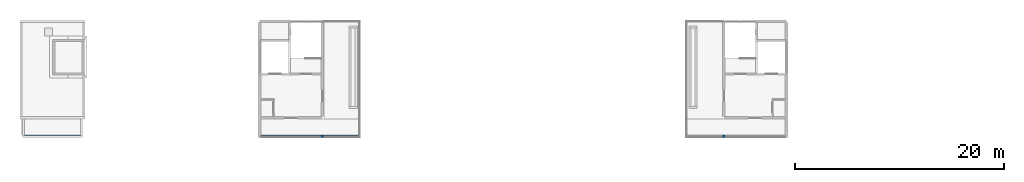
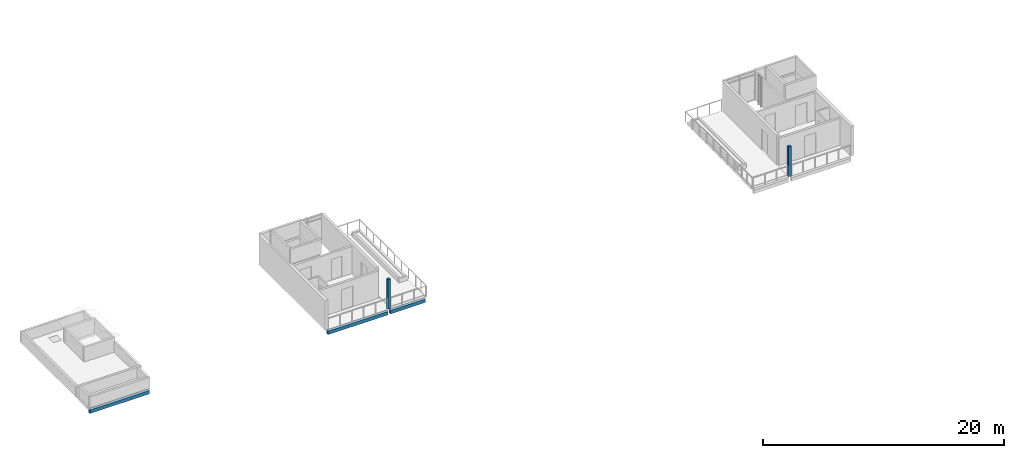
# One storey, part 1 of 15: 3 beams, 2 columns.
"""IFC4 building model written with IfcOpenShell, lengths in metres."""

from ifc_helpers import new_model, si_unit, direction, frame, origin, origin_2d, place, context, subcontext, project, spatial, rectangle, extrude, material, material_profile, profile_set, type_object, element, save


model = new_model("IFC4")

# Units and contexts
model_context = context("Model", 3, precision=1e-05, world=origin(), true_north=direction((0.0, 1.0)))
body_context = subcontext(model_context, "Body", "Model", "MODEL_VIEW")
ifc_project = project(units=[si_unit("LENGTHUNIT", "METRE"), si_unit("AREAUNIT", "SQUARE_METRE"), si_unit("VOLUMEUNIT", "CUBIC_METRE"), si_unit("PLANEANGLEUNIT", "RADIAN"), si_unit("MASSUNIT", "GRAM", prefix="KILO")], contexts=[model_context])

# Site, building, storey
site_placement = place(None, origin())
site = spatial("IfcSite", under=ifc_project, at=site_placement, CompositionType="ELEMENT")
building_placement = place(site_placement, origin())
building = spatial("IfcBuilding", under=site, at=building_placement, Name="Ridgestep Commons", CompositionType="ELEMENT")
storey_placement = place(building_placement, frame((0.0, 0.0, 45.0)))
storey = spatial("IfcBuildingStorey", under=building, at=storey_placement, Name="L15", CompositionType="ELEMENT", Elevation=45.0)

# Columns
ifc_material_1 = material(Name="Precast concrete C40/50", Category="concrete")
ifc_material_profile_1 = material_profile(ifc_material_1, rectangle(XDim=0.25, YDim=0.25, at=origin_2d()), Name="PC 250x250")
ifc_profile_set_1 = profile_set([ifc_material_profile_1], Name="Precast concrete C40/50")
column_type = type_object("IfcColumnType", Name="Loggia column 250 x 250", PredefinedType="COLUMN", material=ifc_profile_set_1)
for number, where, z_axis, x_axis, name in (
    (1, (51.60009765625, 11.875, 0.0), (0.0, 0.0, 1.0), (1.0, 0.0, 0.0), "Loggia column A L15"),
    (2, (90.0, 11.875, 0.0), (0.0, 0.0, 1.0), (1.0, 0.0, 0.0), "Loggia column A L15"),
):
    element("IfcColumn", number, at=place(storey_placement, frame(where, z_axis=z_axis, x_axis=x_axis)), inside=storey, type_object=column_type, Name=name, PredefinedType="COLUMN", context=body_context, shape_type="SweptSolid", body=[
        extrude(rectangle(XDim=0.25, YDim=0.25, at=origin_2d()), origin(), (0.0, 0.0, 1.0), 3.0),
    ])

# Beams
ifc_material_2 = material(Name="Precast concrete C40/50", Category="concrete")
ifc_material_profile_2 = material_profile(ifc_material_2, rectangle(XDim=0.25, YDim=0.35009765625, at=origin_2d()), Name="PC 250x350")
ifc_profile_set_2 = profile_set([ifc_material_profile_2], Name="Precast concrete C40/50")
beam_type = type_object("IfcBeamType", Name="Loggia edge beam 250 x 350", PredefinedType="SPANDREL", material=ifc_profile_set_2)
beam_1_placement = place(storey_placement, frame((22.925048828125, 11.875, -0.375), z_axis=(1.0, 0.0, 0.0), x_axis=(0.0, 1.0, 0.0)))
element("IfcBeam", 3, at=beam_1_placement, inside=storey, type_object=beam_type, Name="Loggia edge beam A1C L15", PredefinedType="SPANDREL", context=body_context, shape_type="SweptSolid", body=[
    extrude(rectangle(XDim=0.25, YDim=0.35009765625, at=origin_2d()), origin(), (0.0, 0.0, 1.0), 5.724853515625),
])
beam_2_placement = place(storey_placement, frame((45.75, 11.875, -0.375), z_axis=(1.0, 0.0, 0.0), x_axis=(0.0, 1.0, 0.0)))
element("IfcBeam", 4, at=beam_2_placement, inside=storey, type_object=beam_type, Name="Loggia edge beam A3C L15", PredefinedType="SPANDREL", context=body_context, shape_type="SweptSolid", body=[
    extrude(rectangle(XDim=0.25, YDim=0.35009765625, at=origin_2d()), origin(), (0.0, 0.0, 1.0), 5.72509765625),
])
beam_3_placement = place(storey_placement, frame((51.72509765625, 11.875, -0.375), z_axis=(1.0, 0.0, 0.0), x_axis=(0.0, 1.0, 0.0)))
element("IfcBeam", 5, at=beam_3_placement, inside=storey, type_object=beam_type, Name="Loggia edge beam A3T3 L15", PredefinedType="SPANDREL", context=body_context, shape_type="SweptSolid", body=[
    extrude(rectangle(XDim=0.25, YDim=0.35009765625, at=origin_2d()), origin(), (0.0, 0.0, 1.0), 3.349853515625),
])

save(model, "model.ifc")
